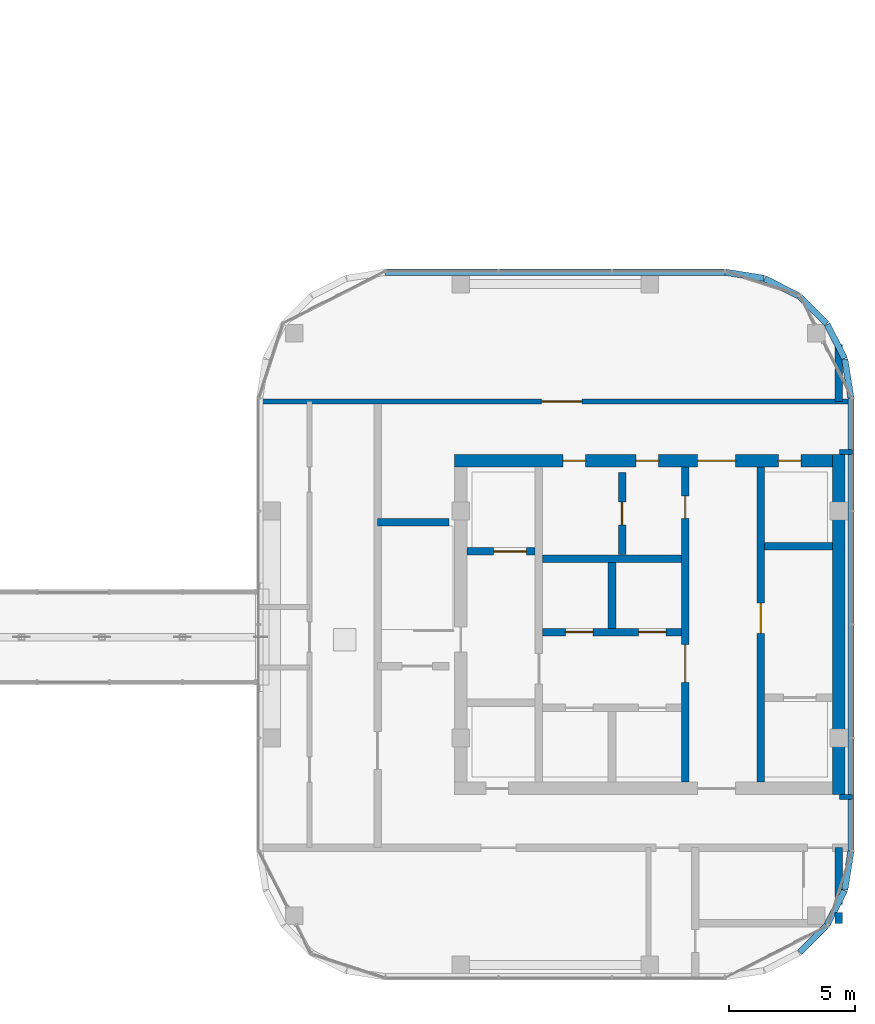
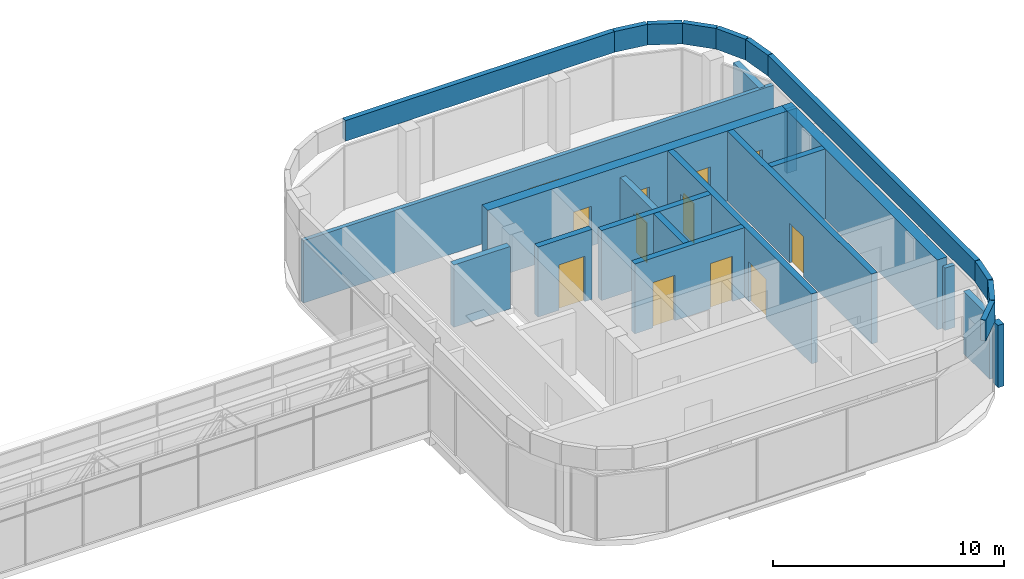
# One storey, part 24 of 33: 27 walls, 12 doors, 12 openings.
"""IFC4 building model written with IfcOpenShell, lengths in metres."""

from ifc_helpers import new_model, si_unit, direction, frame, frame_2d, origin, place, context, subcontext, project, spatial, rectangle, extrude, material, layer, layer_set, type_object, element, fill, save


model = new_model("IFC4")

# Units and contexts
model_context = context("Model", 3, precision=1e-05, world=origin(), true_north=direction((0.0, 1.0)))
body_context = subcontext(model_context, "Body", "Model", "MODEL_VIEW")
ifc_project = project(units=[si_unit("LENGTHUNIT", "METRE"), si_unit("AREAUNIT", "SQUARE_METRE"), si_unit("VOLUMEUNIT", "CUBIC_METRE"), si_unit("PLANEANGLEUNIT", "RADIAN"), si_unit("MASSUNIT", "GRAM", prefix="KILO")], contexts=[model_context])

# Site, building, storey
site_placement = place(None, origin())
site = spatial("IfcSite", under=ifc_project, at=site_placement, CompositionType="ELEMENT")
building_placement = place(site_placement, origin())
building = spatial("IfcBuilding", under=site, at=building_placement, Name="Ogive Portal Towers", CompositionType="ELEMENT")
storey_placement = place(building_placement, frame((0.0, 0.0, 101.89990234375)))
storey = spatial("IfcBuildingStorey", under=building, at=storey_placement, Name="L24", CompositionType="ELEMENT", Elevation=101.89990234375)

# Wall, openings, doors
ifc_material_1 = material(Name="Concrete C60/75", Category="concrete")
ifc_layer_1 = layer(ifc_material_1, 0.300048828125)
ifc_layer_set_1 = layer_set([ifc_layer_1], Name="CORE WALL 300 C60")
wall_type_1 = type_object("IfcWallType", Name="CORE WALL 300 C60", PredefinedType="SHEAR", material=ifc_layer_set_1)
wall_1_placement = place(storey_placement, frame((137.89990234375, 24.75, 0.0), z_axis=(0.0, 0.0, 1.0), x_axis=(0.0, 1.0, 0.0)))
wall_1 = element("IfcWall", 1, at=wall_1_placement, inside=storey, type_object=wall_type_1, Name="Tower B core wall BX2 L24", PredefinedType="SHEAR", context=body_context, shape_type="SweptSolid", body=[
    extrude(rectangle(XDim=12.5, YDim=0.300048828125, at=frame_2d((6.25, 0.0))), origin(), (0.0, 0.0, 1.0), 3.7001953125),
])
opening_1_placement = place(wall_1_placement, frame((3.949951171875, 0.0, 0.0)))
opening_1 = element("IfcOpeningElement", 2, at=opening_1_placement, cuts=wall_1, Name="Opening B10-012", PredefinedType="OPENING", context=body_context, shape_type="SweptSolid", body=[
    extrude(rectangle(XDim=1.5, YDim=2.10009765625, at=frame_2d((0.75, 1.050048828125))), frame((0.0, 0.16015625, 0.0), z_axis=(0.0, -1.0, 0.0), x_axis=(1.0, 0.0, 0.0)), (0.0, 0.0, 1.0), 0.320068359375),
])
opening_2_placement = place(wall_1_placement, frame((10.449951171875, 0.0, 0.0)))
opening_2 = element("IfcOpeningElement", 3, at=opening_2_placement, cuts=wall_1, Name="Opening B10-028", PredefinedType="OPENING", context=body_context, shape_type="SweptSolid", body=[
    extrude(rectangle(XDim=0.89990234375, YDim=2.10009765625, at=frame_2d((0.449951171875, 1.050048828125))), frame((0.0, 0.16015625, 0.0), z_axis=(0.0, -1.0, 0.0), x_axis=(1.0, 0.0, 0.0)), (0.0, 0.0, 1.0), 0.320068359375),
])
ifc_material_2 = material(Name="Steel fire door", Category="steel")
door_type_1 = type_object("IfcDoorType", Name="DT-SWING-1500x2100-FD90S", OperationType="SINGLE_SWING_LEFT", PredefinedType="DOOR", material=ifc_material_2)
door_1_placement = place(opening_1_placement, origin())
door_1 = element("IfcDoor", 4, at=door_1_placement, inside=storey, type_object=door_type_1, Name="Door B10-012", OperationType="SINGLE_SWING_RIGHT", OverallHeight=2.10009765625, OverallWidth=1.5, PredefinedType="DOOR", context=body_context, shape_type="SweptSolid", body=[
    extrude(rectangle(XDim=1.5, YDim=2.10009765625, at=frame_2d((0.75, 1.050048828125))), frame((0.0, 0.02490234375, 0.0), z_axis=(0.0, -1.0, 0.0), x_axis=(1.0, 0.0, 0.0)), (0.0, 0.0, 1.0), 0.050048828125),
])
fill(opening_1, door_1)
door_type_2 = type_object("IfcDoorType", Name="DT-SWING-900x2100-FD90S", OperationType="SINGLE_SWING_LEFT", PredefinedType="DOOR", material=ifc_material_2)
door_2_placement = place(opening_2_placement, origin())
door_2 = element("IfcDoor", 5, at=door_2_placement, inside=storey, type_object=door_type_2, Name="Door B10-028", OperationType="SINGLE_SWING_RIGHT", OverallHeight=2.10009765625, OverallWidth=0.89990234375, PredefinedType="DOOR", context=body_context, shape_type="SweptSolid", body=[
    extrude(rectangle(XDim=0.89990234375, YDim=2.10009765625, at=frame_2d((0.449951171875, 1.050048828125))), frame((0.0, 0.02490234375, 0.0), z_axis=(0.0, -1.0, 0.0), x_axis=(1.0, 0.0, 0.0)), (0.0, 0.0, 1.0), 0.050048828125),
])
fill(opening_2, door_2)

# Wall, opening, door
wall_2_placement = place(storey_placement, frame((140.89990234375, 24.75, 0.0), z_axis=(0.0, 0.0, 1.0), x_axis=(0.0, 1.0, 0.0)))
wall_2 = element("IfcWall", 6, at=wall_2_placement, inside=storey, type_object=wall_type_1, Name="Tower B core wall BX3 L24", PredefinedType="SHEAR", context=body_context, shape_type="SweptSolid", body=[
    extrude(rectangle(XDim=12.5, YDim=0.300048828125, at=frame_2d((6.25, 0.0))), origin(), (0.0, 0.0, 1.0), 3.7001953125),
])
opening_3_placement = place(wall_2_placement, frame((5.89990234375, 0.0, 0.0)))
opening_3 = element("IfcOpeningElement", 7, at=opening_3_placement, cuts=wall_2, Name="Opening B10-014", PredefinedType="OPENING", context=body_context, shape_type="SweptSolid", body=[
    extrude(rectangle(XDim=1.199951171875, YDim=2.10009765625, at=frame_2d((0.60009765625, 1.050048828125))), frame((0.0, 0.16015625, 0.0), z_axis=(0.0, -1.0, 0.0), x_axis=(1.0, 0.0, 0.0)), (0.0, 0.0, 1.0), 0.320068359375),
])
door_type_3 = type_object("IfcDoorType", Name="DT-SWING-1200x2100-FD90S", OperationType="SINGLE_SWING_LEFT", PredefinedType="DOOR", material=ifc_material_2)
door_3_placement = place(opening_3_placement, origin())
door_3 = element("IfcDoor", 8, at=door_3_placement, inside=storey, type_object=door_type_3, Name="Door B10-014", OperationType="SINGLE_SWING_RIGHT", OverallHeight=2.10009765625, OverallWidth=1.199951171875, PredefinedType="DOOR", context=body_context, shape_type="SweptSolid", body=[
    extrude(rectangle(XDim=1.199951171875, YDim=2.10009765625, at=frame_2d((0.60009765625, 1.050048828125))), frame((0.0, 0.02490234375, 0.0), z_axis=(0.0, -1.0, 0.0), x_axis=(1.0, 0.0, 0.0)), (0.0, 0.0, 1.0), 0.050048828125),
])
fill(opening_3, door_3)

# Wall
wall_3_placement = place(storey_placement, frame((135.0, 30.85009765625, 0.0), z_axis=(0.0, 0.0, 1.0), x_axis=(0.0, 1.0, 0.0)))
element("IfcWall", 9, at=wall_3_placement, inside=storey, type_object=wall_type_1, Name="Tower B core wall BX5 L24", PredefinedType="SHEAR", context=body_context, shape_type="SweptSolid", body=[
    extrude(rectangle(XDim=2.599853515625, YDim=0.300048828125, at=frame_2d((1.2998046875, 0.0))), origin(), (0.0, 0.0, 1.0), 3.7001953125),
])

# Wall, openings, doors
wall_4_placement = place(storey_placement, frame((132.25, 30.699951171875, 0.0), z_axis=(0.0, 0.0, 1.0), x_axis=(1.0, 0.0, 0.0)))
wall_4 = element("IfcWall", 10, at=wall_4_placement, inside=storey, type_object=wall_type_1, Name="Tower B core wall BY2 L24", PredefinedType="SHEAR", context=body_context, shape_type="SweptSolid", body=[
    extrude(rectangle(XDim=5.5, YDim=0.300048828125, at=frame_2d((2.75, 0.0))), origin(), (0.0, 0.0, 1.0), 3.7001953125),
])
opening_4_placement = place(wall_4_placement, frame((0.89990234375, 0.0, 0.0)))
opening_4 = element("IfcOpeningElement", 11, at=opening_4_placement, cuts=wall_4, Name="Opening B10-022", PredefinedType="OPENING", context=body_context, shape_type="SweptSolid", body=[
    extrude(rectangle(XDim=1.10009765625, YDim=2.39990234375, at=frame_2d((0.550048828125, 1.199951171875))), frame((0.0, 0.16015625, 0.0), z_axis=(0.0, -1.0, 0.0), x_axis=(1.0, 0.0, 0.0)), (0.0, 0.0, 1.0), 0.320068359375),
])
opening_5_placement = place(wall_4_placement, frame((3.800048828125, 0.0, 0.0)))
opening_5 = element("IfcOpeningElement", 12, at=opening_5_placement, cuts=wall_4, Name="Opening B10-023", PredefinedType="OPENING", context=body_context, shape_type="SweptSolid", body=[
    extrude(rectangle(XDim=1.10009765625, YDim=2.39990234375, at=frame_2d((0.550048828125, 1.199951171875))), frame((0.0, 0.16015625, 0.0), z_axis=(0.0, -1.0, 0.0), x_axis=(1.0, 0.0, 0.0)), (0.0, 0.0, 1.0), 0.320068359375),
])
ifc_material_3 = material(Name="Stainless steel", Category="steel")
door_type_4 = type_object("IfcDoorType", Name="DT-LD-1100x2400", OperationType="SLIDING_TO_LEFT", PredefinedType="DOOR", material=ifc_material_3)
door_4_placement = place(opening_4_placement, origin())
door_4 = element("IfcDoor", 13, at=door_4_placement, inside=storey, type_object=door_type_4, Name="Door B10-022", OperationType="SLIDING_TO_LEFT", OverallHeight=2.39990234375, OverallWidth=1.10009765625, PredefinedType="DOOR", context=body_context, shape_type="SweptSolid", body=[
    extrude(rectangle(XDim=1.10009765625, YDim=2.39990234375, at=frame_2d((0.550048828125, 1.199951171875))), frame((0.0, 0.02490234375, 0.0), z_axis=(0.0, -1.0, 0.0), x_axis=(1.0, 0.0, 0.0)), (0.0, 0.0, 1.0), 0.050048828125),
])
fill(opening_4, door_4)
door_5_placement = place(opening_5_placement, origin())
door_5 = element("IfcDoor", 14, at=door_5_placement, inside=storey, type_object=door_type_4, Name="Door B10-023", OperationType="SLIDING_TO_LEFT", OverallHeight=2.39990234375, OverallWidth=1.10009765625, PredefinedType="DOOR", context=body_context, shape_type="SweptSolid", body=[
    extrude(rectangle(XDim=1.10009765625, YDim=2.39990234375, at=frame_2d((0.550048828125, 1.199951171875))), frame((0.0, 0.02490234375, 0.0), z_axis=(0.0, -1.0, 0.0), x_axis=(1.0, 0.0, 0.0)), (0.0, 0.0, 1.0), 0.050048828125),
])
fill(opening_5, door_5)

# Wall
wall_5_placement = place(storey_placement, frame((132.25, 33.60009765625, 0.0), z_axis=(0.0, 0.0, 1.0), x_axis=(1.0, 0.0, 0.0)))
element("IfcWall", 15, at=wall_5_placement, inside=storey, type_object=wall_type_1, Name="Tower B core wall BY3 L24", PredefinedType="SHEAR", context=body_context, shape_type="SweptSolid", body=[
    extrude(rectangle(XDim=5.5, YDim=0.300048828125, at=frame_2d((2.75, 0.0))), origin(), (0.0, 0.0, 1.0), 3.7001953125),
])

# Wall, opening, door
wall_6_placement = place(storey_placement, frame((129.25, 33.89990234375, 0.0), z_axis=(0.0, 0.0, 1.0), x_axis=(1.0, 0.0, 0.0)))
wall_6 = element("IfcWall", 16, at=wall_6_placement, inside=storey, type_object=wall_type_1, Name="Tower B core wall BY5 L24", PredefinedType="SHEAR", context=body_context, shape_type="SweptSolid", body=[
    extrude(rectangle(XDim=2.699951171875, YDim=0.300048828125, at=frame_2d((1.35009765625, 0.0))), origin(), (0.0, 0.0, 1.0), 3.7001953125),
])
opening_6_placement = place(wall_6_placement, frame((1.050048828125, 0.0, 0.0)))
opening_6 = element("IfcOpeningElement", 17, at=opening_6_placement, cuts=wall_6, Name="Opening B10-024", PredefinedType="OPENING", context=body_context, shape_type="SweptSolid", body=[
    extrude(rectangle(XDim=1.300048828125, YDim=2.39990234375, at=frame_2d((0.64990234375, 1.199951171875))), frame((0.0, 0.16015625, 0.0), z_axis=(0.0, -1.0, 0.0), x_axis=(1.0, 0.0, 0.0)), (0.0, 0.0, 1.0), 0.320068359375),
])
door_type_5 = type_object("IfcDoorType", Name="DT-LD-1300x2400", OperationType="SLIDING_TO_LEFT", PredefinedType="DOOR", material=ifc_material_3)
door_6_placement = place(opening_6_placement, origin())
door_6 = element("IfcDoor", 18, at=door_6_placement, inside=storey, type_object=door_type_5, Name="Door B10-024", OperationType="SLIDING_TO_LEFT", OverallHeight=2.39990234375, OverallWidth=1.300048828125, PredefinedType="DOOR", context=body_context, shape_type="SweptSolid", body=[
    extrude(rectangle(XDim=1.300048828125, YDim=2.39990234375, at=frame_2d((0.64990234375, 1.199951171875))), frame((0.0, 0.02490234375, 0.0), z_axis=(0.0, -1.0, 0.0), x_axis=(1.0, 0.0, 0.0)), (0.0, 0.0, 1.0), 0.050048828125),
])
fill(opening_6, door_6)

# Walls
wall_7_placement = place(storey_placement, frame((141.050048828125, 34.10009765625, 0.0), z_axis=(0.0, 0.0, 1.0), x_axis=(1.0, 0.0, 0.0)))
element("IfcWall", 19, at=wall_7_placement, inside=storey, type_object=wall_type_1, Name="Tower B core wall BY7 L24", PredefinedType="SHEAR", context=body_context, shape_type="SweptSolid", body=[
    extrude(rectangle(XDim=2.699951171875, YDim=0.300048828125, at=frame_2d((1.35009765625, 0.0))), origin(), (0.0, 0.0, 1.0), 3.7001953125),
])
ifc_layer_2 = layer(ifc_material_1, 0.5)
ifc_layer_set_2 = layer_set([ifc_layer_2], Name="CORE WALL 500 C60")
wall_type_2 = type_object("IfcWallType", Name="CORE WALL 500 C60", PredefinedType="SHEAR", material=ifc_layer_set_2)
wall_8_placement = place(storey_placement, frame((144.0, 24.25, 0.0), z_axis=(0.0, 0.0, 1.0), x_axis=(0.0, 1.0, 0.0)))
element("IfcWall", 20, at=wall_8_placement, inside=storey, type_object=wall_type_2, Name="Tower B core wall BE L24", PredefinedType="SHEAR", context=body_context, shape_type="SweptSolid", body=[
    extrude(rectangle(XDim=13.5, YDim=0.5, at=frame_2d((6.75, 0.0))), origin(), (0.0, 0.0, 1.0), 3.7001953125),
])

# Wall, openings, doors
wall_9_placement = place(storey_placement, frame((128.75, 37.5, 0.0), z_axis=(0.0, 0.0, 1.0), x_axis=(1.0, 0.0, 0.0)))
wall_9 = element("IfcWall", 21, at=wall_9_placement, inside=storey, type_object=wall_type_2, Name="Tower B core wall BN L24", PredefinedType="SHEAR", context=body_context, shape_type="SweptSolid", body=[
    extrude(rectangle(XDim=15.0, YDim=0.5, at=frame_2d((7.5, 0.0))), origin(), (0.0, 0.0, 1.0), 3.7001953125),
])
opening_7_placement = place(wall_9_placement, frame((9.64990234375, 0.0, 0.0)))
opening_7 = element("IfcOpeningElement", 22, at=opening_7_placement, cuts=wall_9, Name="Opening B10-017", PredefinedType="OPENING", context=body_context, shape_type="SweptSolid", body=[
    extrude(rectangle(XDim=1.5, YDim=2.10009765625, at=frame_2d((0.75, 1.050048828125))), frame((0.0, 0.260009765625, 0.0), z_axis=(0.0, -1.0, 0.0), x_axis=(1.0, 0.0, 0.0)), (0.0, 0.0, 1.0), 0.52001953125),
])
opening_8_placement = place(wall_9_placement, frame((12.85009765625, 0.0, 0.0)))
opening_8 = element("IfcOpeningElement", 23, at=opening_8_placement, cuts=wall_9, Name="Opening B10-019", PredefinedType="OPENING", context=body_context, shape_type="SweptSolid", body=[
    extrude(rectangle(XDim=0.89990234375, YDim=2.10009765625, at=frame_2d((0.449951171875, 1.050048828125))), frame((0.0, 0.260009765625, 0.0), z_axis=(0.0, -1.0, 0.0), x_axis=(1.0, 0.0, 0.0)), (0.0, 0.0, 1.0), 0.52001953125),
])
opening_9_placement = place(wall_9_placement, frame((4.300048828125, 0.0, 0.0)))
opening_9 = element("IfcOpeningElement", 24, at=opening_9_placement, cuts=wall_9, Name="Opening B10-026", PredefinedType="OPENING", context=body_context, shape_type="SweptSolid", body=[
    extrude(rectangle(XDim=0.89990234375, YDim=2.10009765625, at=frame_2d((0.449951171875, 1.050048828125))), frame((0.0, 0.260009765625, 0.0), z_axis=(0.0, -1.0, 0.0), x_axis=(1.0, 0.0, 0.0)), (0.0, 0.0, 1.0), 0.52001953125),
])
opening_10_placement = place(wall_9_placement, frame((7.199951171875, 0.0, 0.0)))
opening_10 = element("IfcOpeningElement", 25, at=opening_10_placement, cuts=wall_9, Name="Opening B10-027", PredefinedType="OPENING", context=body_context, shape_type="SweptSolid", body=[
    extrude(rectangle(XDim=0.89990234375, YDim=2.10009765625, at=frame_2d((0.449951171875, 1.050048828125))), frame((0.0, 0.260009765625, 0.0), z_axis=(0.0, -1.0, 0.0), x_axis=(1.0, 0.0, 0.0)), (0.0, 0.0, 1.0), 0.52001953125),
])
door_7_placement = place(opening_7_placement, origin())
door_7 = element("IfcDoor", 26, at=door_7_placement, inside=storey, type_object=door_type_1, Name="Door B10-017", OperationType="SINGLE_SWING_RIGHT", OverallHeight=2.10009765625, OverallWidth=1.5, PredefinedType="DOOR", context=body_context, shape_type="SweptSolid", body=[
    extrude(rectangle(XDim=1.5, YDim=2.10009765625, at=frame_2d((0.75, 1.050048828125))), frame((0.0, 0.02490234375, 0.0), z_axis=(0.0, -1.0, 0.0), x_axis=(1.0, 0.0, 0.0)), (0.0, 0.0, 1.0), 0.050048828125),
])
fill(opening_7, door_7)
door_8_placement = place(opening_8_placement, origin())
door_8 = element("IfcDoor", 27, at=door_8_placement, inside=storey, type_object=door_type_2, Name="Riser access door B10-019", OperationType="SINGLE_SWING_RIGHT", OverallHeight=2.10009765625, OverallWidth=0.89990234375, PredefinedType="DOOR", context=body_context, shape_type="SweptSolid", body=[
    extrude(rectangle(XDim=0.89990234375, YDim=2.10009765625, at=frame_2d((0.449951171875, 1.050048828125))), frame((0.0, 0.02490234375, 0.0), z_axis=(0.0, -1.0, 0.0), x_axis=(1.0, 0.0, 0.0)), (0.0, 0.0, 1.0), 0.050048828125),
])
fill(opening_8, door_8)
door_9_placement = place(opening_9_placement, origin())
door_9 = element("IfcDoor", 28, at=door_9_placement, inside=storey, type_object=door_type_2, Name="Door B10-026", OperationType="SINGLE_SWING_LEFT", OverallHeight=2.10009765625, OverallWidth=0.89990234375, PredefinedType="DOOR", context=body_context, shape_type="SweptSolid", body=[
    extrude(rectangle(XDim=0.89990234375, YDim=2.10009765625, at=frame_2d((0.449951171875, 1.050048828125))), frame((0.0, 0.02490234375, 0.0), z_axis=(0.0, -1.0, 0.0), x_axis=(1.0, 0.0, 0.0)), (0.0, 0.0, 1.0), 0.050048828125),
])
fill(opening_9, door_9)
door_10_placement = place(opening_10_placement, origin())
door_10 = element("IfcDoor", 29, at=door_10_placement, inside=storey, type_object=door_type_2, Name="Door B10-027", OperationType="SINGLE_SWING_RIGHT", OverallHeight=2.10009765625, OverallWidth=0.89990234375, PredefinedType="DOOR", context=body_context, shape_type="SweptSolid", body=[
    extrude(rectangle(XDim=0.89990234375, YDim=2.10009765625, at=frame_2d((0.449951171875, 1.050048828125))), frame((0.0, 0.02490234375, 0.0), z_axis=(0.0, -1.0, 0.0), x_axis=(1.0, 0.0, 0.0)), (0.0, 0.0, 1.0), 0.050048828125),
])
fill(opening_10, door_10)

# Walls
ifc_material_4 = material(Name="Limestone cladding on lightweight block wall", Category="masonry")
ifc_layer_3 = layer(ifc_material_4, 0.25)
ifc_layer_set_3 = layer_set([ifc_layer_3], Name="PARAPET 250 STONE")
wall_type_3 = type_object("IfcWallType", Name="PARAPET 250 STONE", PredefinedType="PARAPET", material=ifc_layer_set_3)
wall_10_placement = place(storey_placement, frame((142.437255859375, 17.990478515625, 3.7001953125), z_axis=(0.0, 0.0, 1.0), x_axis=(0.707106781187, 0.707106781187, 0.0)))
element("IfcWall", 30, at=wall_10_placement, inside=storey, type_object=wall_type_3, Name="B:L24:roof0:para12", PredefinedType="PARAPET", context=body_context, shape_type="SweptSolid", body=[
    extrude(rectangle(XDim=1.516357421875, YDim=0.25, at=frame_2d((0.75830078125, 0.0))), origin(), (0.0, 0.0, 1.0), 1.099853515625),
])
wall_11_placement = place(storey_placement, frame((143.532470703125, 19.09423828125, 3.7001953125), z_axis=(0.0, 0.0, 1.0), x_axis=(0.453961953638, 0.891021068577, 0.0)))
element("IfcWall", 31, at=wall_11_placement, inside=storey, type_object=wall_type_3, Name="B:L24:roof0:para13", PredefinedType="PARAPET", context=body_context, shape_type="SweptSolid", body=[
    extrude(rectangle(XDim=1.5166015625, YDim=0.25, at=frame_2d((0.75830078125, 0.0))), origin(), (0.0, 0.0, 1.0), 1.099853515625),
])
wall_12_placement = place(storey_placement, frame((144.233154296875, 20.482666015625, 3.7001953125), z_axis=(0.0, 0.0, 1.0), x_axis=(0.156378762167, 0.987697161453, 0.0)))
element("IfcWall", 32, at=wall_12_placement, inside=storey, type_object=wall_type_3, Name="B:L24:roof0:para14", PredefinedType="PARAPET", context=body_context, shape_type="SweptSolid", body=[
    extrude(rectangle(XDim=1.5361328125, YDim=0.25, at=frame_2d((0.76806640625, 0.0))), origin(), (0.0, 0.0, 1.0), 1.099853515625),
])
wall_13_placement = place(storey_placement, frame((144.47509765625, 22.019775390625, 3.7001953125), z_axis=(0.0, 0.0, 1.0), x_axis=(0.0, 1.0, 0.0)))
element("IfcWall", 33, at=wall_13_placement, inside=storey, type_object=wall_type_3, Name="B:L24:roof0:para15", PredefinedType="PARAPET", context=body_context, shape_type="SweptSolid", body=[
    extrude(rectangle(XDim=17.96044921875, YDim=0.25, at=frame_2d((8.980224609375, 0.0))), origin(), (0.0, 0.0, 1.0), 1.099853515625),
])
wall_14_placement = place(storey_placement, frame((144.473388671875, 40.0, 3.7001953125), z_axis=(0.0, 0.0, 1.0), x_axis=(-0.156378762167, 0.987697161453, 0.0)))
element("IfcWall", 34, at=wall_14_placement, inside=storey, type_object=wall_type_3, Name="B:L24:roof0:para16", PredefinedType="PARAPET", context=body_context, shape_type="SweptSolid", body=[
    extrude(rectangle(XDim=1.5361328125, YDim=0.25, at=frame_2d((0.76806640625, 0.0))), origin(), (0.0, 0.0, 1.0), 1.099853515625),
])
wall_15_placement = place(storey_placement, frame((144.220947265625, 41.554443359375, 3.7001953125), z_axis=(0.0, 0.0, 1.0), x_axis=(-0.453961953638, 0.891021068577, 0.0)))
element("IfcWall", 35, at=wall_15_placement, inside=storey, type_object=wall_type_3, Name="B:L24:roof0:para17", PredefinedType="PARAPET", context=body_context, shape_type="SweptSolid", body=[
    extrude(rectangle(XDim=1.5166015625, YDim=0.25, at=frame_2d((0.75830078125, 0.0))), origin(), (0.0, 0.0, 1.0), 1.099853515625),
])
wall_16_placement = place(storey_placement, frame((143.509521484375, 42.937255859375, 3.7001953125), z_axis=(0.0, 0.0, 1.0), x_axis=(-0.707106781187, 0.707106781187, 0.0)))
element("IfcWall", 36, at=wall_16_placement, inside=storey, type_object=wall_type_3, Name="B:L24:roof0:para18", PredefinedType="PARAPET", context=body_context, shape_type="SweptSolid", body=[
    extrude(rectangle(XDim=1.516357421875, YDim=0.25, at=frame_2d((0.75830078125, 0.0))), origin(), (0.0, 0.0, 1.0), 1.099853515625),
])
wall_17_placement = place(storey_placement, frame((142.40576171875, 44.032470703125, 3.7001953125), z_axis=(0.0, 0.0, 1.0), x_axis=(-0.891021068577, 0.453961953638, 0.0)))
element("IfcWall", 37, at=wall_17_placement, inside=storey, type_object=wall_type_3, Name="B:L24:roof0:para19", PredefinedType="PARAPET", context=body_context, shape_type="SweptSolid", body=[
    extrude(rectangle(XDim=1.5166015625, YDim=0.25, at=frame_2d((0.75830078125, 0.0))), origin(), (0.0, 0.0, 1.0), 1.099853515625),
])
wall_18_placement = place(storey_placement, frame((141.017333984375, 44.733154296875, 3.7001953125), z_axis=(0.0, 0.0, 1.0), x_axis=(-0.987697161453, 0.156378762167, 0.0)))
element("IfcWall", 38, at=wall_18_placement, inside=storey, type_object=wall_type_3, Name="B:L24:roof0:para20", PredefinedType="PARAPET", context=body_context, shape_type="SweptSolid", body=[
    extrude(rectangle(XDim=1.5361328125, YDim=0.25, at=frame_2d((0.76806640625, 0.0))), origin(), (0.0, 0.0, 1.0), 1.099853515625),
])
wall_19_placement = place(storey_placement, frame((139.480224609375, 44.97509765625, 3.7001953125), z_axis=(0.0, 0.0, 1.0), x_axis=(-1.0, 0.0, 0.0)))
element("IfcWall", 39, at=wall_19_placement, inside=storey, type_object=wall_type_3, Name="B:L24:roof0:para21", PredefinedType="PARAPET", context=body_context, shape_type="SweptSolid", body=[
    extrude(rectangle(XDim=13.46044921875, YDim=0.25, at=frame_2d((6.730224609375, 0.0))), origin(), (0.0, 0.0, 1.0), 1.099853515625),
])
ifc_material_5 = material(Name="Gypsum board partition on steel studs", Category="steel")
ifc_layer_4 = layer(ifc_material_5, 0.199951171875)
ifc_layer_set_4 = layer_set([ifc_layer_4], Name="WT-PART-200-EI 60")
wall_type_4 = type_object("IfcWallType", Name="WT-PART-200-EI 60", PredefinedType="PARTITIONING", material=ifc_layer_set_4)
for number, where, z_axis, x_axis, name in (
    (40, (144.02001953125, 24.14990234375, 0.0), (0.0, 0.0, 1.0), (1.0, 0.0, 0.0), "Wall L24:w004"),
    (41, (144.02001953125, 37.85009765625, 0.0), (0.0, 0.0, 1.0), (1.0, 0.0, 0.0), "Wall L24:w010"),
):
    element("IfcWall", number, at=place(storey_placement, frame(where, z_axis=z_axis, x_axis=x_axis)), inside=storey, type_object=wall_type_4, Name=name, PredefinedType="PARTITIONING", context=body_context, shape_type="SweptSolid", body=[
        extrude(rectangle(XDim=0.510009765625, YDim=0.199951171875, at=frame_2d((0.2548828125, 0.0))), origin(), (0.0, 0.0, 1.0), 3.300048828125),
    ])

# Wall, opening, door
wall_20_placement = place(storey_placement, frame((120.969970703125, 39.85009765625, 0.0), z_axis=(0.0, 0.0, 1.0), x_axis=(1.0, 0.0, 0.0)))
wall_20 = element("IfcWall", 42, at=wall_20_placement, inside=storey, type_object=wall_type_4, Name="Wall L24:w011", PredefinedType="PARTITIONING", context=body_context, shape_type="SweptSolid", body=[
    extrude(rectangle(XDim=23.56005859375, YDim=0.199951171875, at=frame_2d((11.780029296875, 0.0))), origin(), (0.0, 0.0, 1.0), 3.300048828125),
])
opening_11_placement = place(wall_20_placement, frame((11.22998046875, 0.0, 0.0)))
opening_11 = element("IfcOpeningElement", 43, at=opening_11_placement, cuts=wall_20, Name="Opening B10-004", PredefinedType="OPENING", context=body_context, shape_type="SweptSolid", body=[
    extrude(rectangle(XDim=1.60009765625, YDim=2.10009765625, at=frame_2d((0.800048828125, 1.050048828125))), frame((0.0, 0.10986328125, 0.0), z_axis=(0.0, -1.0, 0.0), x_axis=(1.0, 0.0, 0.0)), (0.0, 0.0, 1.0), 0.219970703125),
])
door_type_6 = type_object("IfcDoorType", Name="DT-SWING-1600x2100-FD60S", OperationType="SINGLE_SWING_LEFT", PredefinedType="DOOR", material=ifc_material_2)
door_11_placement = place(opening_11_placement, origin())
door_11 = element("IfcDoor", 44, at=door_11_placement, inside=storey, type_object=door_type_6, Name="Door B10-004", OperationType="SINGLE_SWING_RIGHT", OverallHeight=2.10009765625, OverallWidth=1.60009765625, PredefinedType="DOOR", context=body_context, shape_type="SweptSolid", body=[
    extrude(rectangle(XDim=1.60009765625, YDim=2.10009765625, at=frame_2d((0.800048828125, 1.050048828125))), frame((0.0, 0.02490234375, 0.0), z_axis=(0.0, -1.0, 0.0), x_axis=(1.0, 0.0, 0.0)), (0.0, 0.0, 1.0), 0.050048828125),
])
fill(opening_11, door_11)

# Wall
ifc_layer_5 = layer(ifc_material_5, 0.300048828125)
ifc_layer_set_5 = layer_set([ifc_layer_5], Name="WT-PART-300-EI 120")
wall_type_5 = type_object("IfcWallType", Name="WT-PART-300-EI 120", PredefinedType="PARTITIONING", material=ifc_layer_set_5)
wall_21_placement = place(storey_placement, frame((144.0, 39.85009765625, 0.0), z_axis=(0.0, 0.0, 1.0), x_axis=(0.0, 1.0, 0.0)))
element("IfcWall", 45, at=wall_21_placement, inside=storey, type_object=wall_type_5, Name="Wall L24:w021", PredefinedType="PARTITIONING", context=body_context, shape_type="SweptSolid", body=[
    extrude(rectangle(XDim=2.2587890625, YDim=0.300048828125, at=frame_2d((1.12939453125, 0.0))), origin(), (0.0, 0.0, 1.0), 3.300048828125),
])

# Wall, opening, door
ifc_layer_6 = layer(ifc_material_5, 0.300048828125)
ifc_layer_set_6 = layer_set([ifc_layer_6], Name="WT-PART-300-EI 60")
wall_type_6 = type_object("IfcWallType", Name="WT-PART-300-EI 60", PredefinedType="PARTITIONING", material=ifc_layer_set_6)
wall_22_placement = place(storey_placement, frame((135.39990234375, 33.77001953125, 0.0), z_axis=(0.0, 0.0, 1.0), x_axis=(0.0, 1.0, 0.0)))
wall_22 = element("IfcWall", 46, at=wall_22_placement, inside=storey, type_object=wall_type_6, Name="Wall L24:w016", PredefinedType="PARTITIONING", context=body_context, shape_type="SweptSolid", body=[
    extrude(rectangle(XDim=3.260009765625, YDim=0.300048828125, at=frame_2d((1.6298828125, 0.0))), origin(), (0.0, 0.0, 1.0), 3.300048828125),
])
opening_12_placement = place(wall_22_placement, frame((1.179931640625, 0.0, 0.0)))
opening_12 = element("IfcOpeningElement", 47, at=opening_12_placement, cuts=wall_22, Name="Opening B10-003", PredefinedType="OPENING", context=body_context, shape_type="SweptSolid", body=[
    extrude(rectangle(XDim=0.89990234375, YDim=2.10009765625, at=frame_2d((0.449951171875, 1.050048828125))), frame((0.0, 0.16015625, 0.0), z_axis=(0.0, -1.0, 0.0), x_axis=(1.0, 0.0, 0.0)), (0.0, 0.0, 1.0), 0.320068359375),
])
door_type_7 = type_object("IfcDoorType", Name="DT-SWING-900x2100-FD60S", OperationType="SINGLE_SWING_LEFT", PredefinedType="DOOR", material=ifc_material_2)
door_12_placement = place(opening_12_placement, origin())
door_12 = element("IfcDoor", 48, at=door_12_placement, inside=storey, type_object=door_type_7, Name="Door B10-003", OperationType="SINGLE_SWING_LEFT", OverallHeight=2.10009765625, OverallWidth=0.89990234375, PredefinedType="DOOR", context=body_context, shape_type="SweptSolid", body=[
    extrude(rectangle(XDim=0.89990234375, YDim=2.10009765625, at=frame_2d((0.449951171875, 1.050048828125))), frame((0.0, 0.02490234375, 0.0), z_axis=(0.0, -1.0, 0.0), x_axis=(1.0, 0.0, 0.0)), (0.0, 0.0, 1.0), 0.050048828125),
])
fill(opening_12, door_12)

# Walls
ifc_material_6 = material(Name="Concrete C40/50", Category="concrete")
ifc_layer_7 = layer(ifc_material_6, 0.300048828125)
ifc_layer_set_7 = layer_set([ifc_layer_7], Name="WT-SHAFT-300")
wall_type_7 = type_object("IfcWallType", Name="WT-SHAFT-300", PredefinedType="SOLIDWALL", material=ifc_layer_set_7)
wall_23_placement = place(storey_placement, frame((125.699951171875, 35.050048828125, 0.0), z_axis=(0.0, 0.0, 1.0), x_axis=(1.0, 0.0, 0.0)))
element("IfcWall", 49, at=wall_23_placement, inside=storey, type_object=wall_type_7, Name="Wall L24:w008", PredefinedType="SOLIDWALL", context=body_context, shape_type="SweptSolid", body=[
    extrude(rectangle(XDim=2.830078125, YDim=0.300048828125, at=frame_2d((1.4150390625, 0.0))), origin(), (0.0, 0.0, 1.0), 3.300048828125),
])
wall_24_placement = place(storey_placement, frame((144.0, 19.14990234375, 0.0), z_axis=(0.0, 0.0, 1.0), x_axis=(0.0, 1.0, 0.0)))
element("IfcWall", 50, at=wall_24_placement, inside=storey, type_object=wall_type_7, Name="Wall L24:w019", PredefinedType="SOLIDWALL", context=body_context, shape_type="SweptSolid", body=[
    extrude(rectangle(XDim=0.43212890625, YDim=0.300048828125, at=frame_2d((0.216064453125, 0.0))), origin(), (0.0, 0.0, 1.0), 3.300048828125),
])
wall_25_placement = place(storey_placement, frame((144.0, 19.89111328125, 0.0), z_axis=(0.0, 0.0, 1.0), x_axis=(0.0, 1.0, 0.0)))
element("IfcWall", 51, at=wall_25_placement, inside=storey, type_object=wall_type_7, Name="Wall L24:w020", PredefinedType="SOLIDWALL", context=body_context, shape_type="SweptSolid", body=[
    extrude(rectangle(XDim=2.2587890625, YDim=0.300048828125, at=frame_2d((1.12939453125, 0.0))), origin(), (0.0, 0.0, 1.0), 3.300048828125),
])

save(model, "model.ifc")
